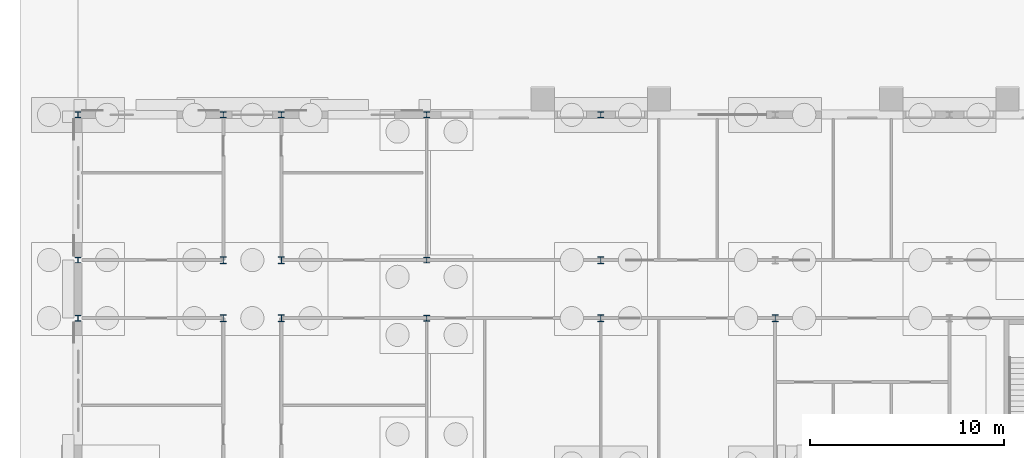
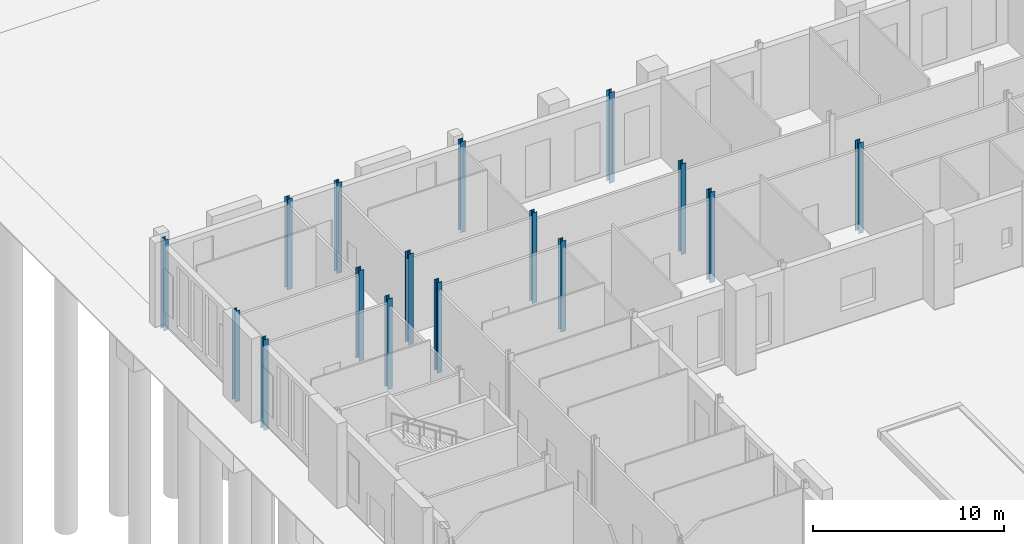
# One storey, part 20 of 168: 16 columns.
"""IFC4 building model written with IfcOpenShell, lengths in metres."""

from ifc_helpers import new_model, si_unit, direction, frame, origin, origin_2d, place, context, subcontext, project, spatial, i_section, extrude, material, material_profile, profile_set, type_object, element, save


model = new_model("IFC4")

# Units and contexts
model_context = context("Model", 3, precision=1e-05, world=origin(), true_north=direction((0.0, 1.0)))
body_context = subcontext(model_context, "Body", "Model", "MODEL_VIEW")
ifc_project = project(units=[si_unit("LENGTHUNIT", "METRE"), si_unit("AREAUNIT", "SQUARE_METRE"), si_unit("VOLUMEUNIT", "CUBIC_METRE"), si_unit("PLANEANGLEUNIT", "RADIAN"), si_unit("MASSUNIT", "GRAM", prefix="KILO")], contexts=[model_context])

# Site, building, storey
site_placement = place(None, origin())
site = spatial("IfcSite", under=ifc_project, at=site_placement, CompositionType="ELEMENT")
building_placement = place(site_placement, origin())
building = spatial("IfcBuilding", under=site, at=building_placement, Name="Golden Quay Civic Hall", CompositionType="ELEMENT")
storey_placement = place(building_placement, origin())
storey = spatial("IfcBuildingStorey", under=building, at=storey_placement, Name="L00", CompositionType="ELEMENT", Elevation=0.0)

# Columns
ifc_material_1 = material(Name="Steel S355", Category="steel")
ifc_material_profile_1 = material_profile(ifc_material_1, i_section(OverallWidth=0.300048828125, OverallDepth=0.300048828125, WebThickness=0.010986328125, FlangeThickness=0.01904296875, FilletRadius=0.027099609375, at=origin_2d()), Name="HEB 300")
ifc_profile_set_1 = profile_set([ifc_material_profile_1], Name="Steel S355")
column_type_1 = type_object("IfcColumnType", Name="Steel column HEB 300", PredefinedType="COLUMN", material=ifc_profile_set_1)
for number, where, z_axis, x_axis, name in (
    (1, (0.0, 70.5, -0.60009765625), (0.0, 0.0, 1.0), (1.0, 0.0, 0.0), "Column 0/70.5 L00"),
    (2, (0.0, 73.5, -0.60009765625), (0.0, 0.0, 1.0), (1.0, 0.0, 0.0), "Column 0/73.5 L00"),
    (3, (0.0, 81.0, -0.60009765625), (0.0, 0.0, 1.0), (1.0, 0.0, 0.0), "Column 0/81 L00"),
    (4, (7.5, 81.0, -0.60009765625), (0.0, 0.0, 1.0), (1.0, 0.0, 0.0), "Column 7.5/81 L00"),
    (5, (10.5, 81.0, -0.60009765625), (0.0, 0.0, 1.0), (1.0, 0.0, 0.0), "Column 10.5/81 L00"),
    (6, (18.0, 70.5, -0.60009765625), (0.0, 0.0, 1.0), (1.0, 0.0, 0.0), "Column 18/70.5 L00"),
    (7, (18.0, 73.5, -0.60009765625), (0.0, 0.0, 1.0), (1.0, 0.0, 0.0), "Column 18/73.5 L00"),
    (8, (18.0, 81.0, -0.60009765625), (0.0, 0.0, 1.0), (1.0, 0.0, 0.0), "Column 18/81 L00"),
    (9, (27.0, 81.0, -0.60009765625), (0.0, 0.0, 1.0), (1.0, 0.0, 0.0), "Column 27/81 L00"),
):
    element("IfcColumn", number, at=place(storey_placement, frame(where, z_axis=z_axis, x_axis=x_axis)), inside=storey, type_object=column_type_1, Name=name, PredefinedType="COLUMN", context=body_context, shape_type="SweptSolid", body=[
        extrude(i_section(OverallWidth=0.300048828125, OverallDepth=0.300048828125, WebThickness=0.010986328125, FlangeThickness=0.01904296875, FilletRadius=0.027099609375, at=origin_2d()), origin(), (0.0, 0.0, 1.0), 5.800048828125),
    ])
ifc_material_2 = material(Name="Steel S355", Category="steel")
ifc_material_profile_2 = material_profile(ifc_material_2, i_section(OverallWidth=0.300048828125, OverallDepth=0.360107421875, WebThickness=0.012451171875, FlangeThickness=0.0224609375, FilletRadius=0.027099609375, at=origin_2d()), Name="HEB 360")
ifc_profile_set_2 = profile_set([ifc_material_profile_2], Name="Steel S355")
column_type_2 = type_object("IfcColumnType", Name="Steel column HEB 360", PredefinedType="COLUMN", material=ifc_profile_set_2)
for number, where, z_axis, x_axis, name in (
    (10, (7.5, 70.5, -0.60009765625), (0.0, 0.0, 1.0), (1.0, 0.0, 0.0), "Column 7.5/70.5 L00"),
    (11, (7.5, 73.5, -0.60009765625), (0.0, 0.0, 1.0), (1.0, 0.0, 0.0), "Column 7.5/73.5 L00"),
    (12, (10.5, 70.5, -0.60009765625), (0.0, 0.0, 1.0), (1.0, 0.0, 0.0), "Column 10.5/70.5 L00"),
    (13, (10.5, 73.5, -0.60009765625), (0.0, 0.0, 1.0), (1.0, 0.0, 0.0), "Column 10.5/73.5 L00"),
    (14, (27.0, 70.5, -0.60009765625), (0.0, 0.0, 1.0), (1.0, 0.0, 0.0), "Column 27/70.5 L00"),
    (15, (27.0, 73.5, -0.60009765625), (0.0, 0.0, 1.0), (1.0, 0.0, 0.0), "Column 27/73.5 L00"),
    (16, (36.0, 70.5, -0.60009765625), (0.0, 0.0, 1.0), (1.0, 0.0, 0.0), "Column 36/70.5 L00"),
):
    element("IfcColumn", number, at=place(storey_placement, frame(where, z_axis=z_axis, x_axis=x_axis)), inside=storey, type_object=column_type_2, Name=name, PredefinedType="COLUMN", context=body_context, shape_type="SweptSolid", body=[
        extrude(i_section(OverallWidth=0.300048828125, OverallDepth=0.360107421875, WebThickness=0.012451171875, FlangeThickness=0.0224609375, FilletRadius=0.027099609375, at=origin_2d()), origin(), (0.0, 0.0, 1.0), 5.800048828125),
    ])

save(model, "model.ifc")
